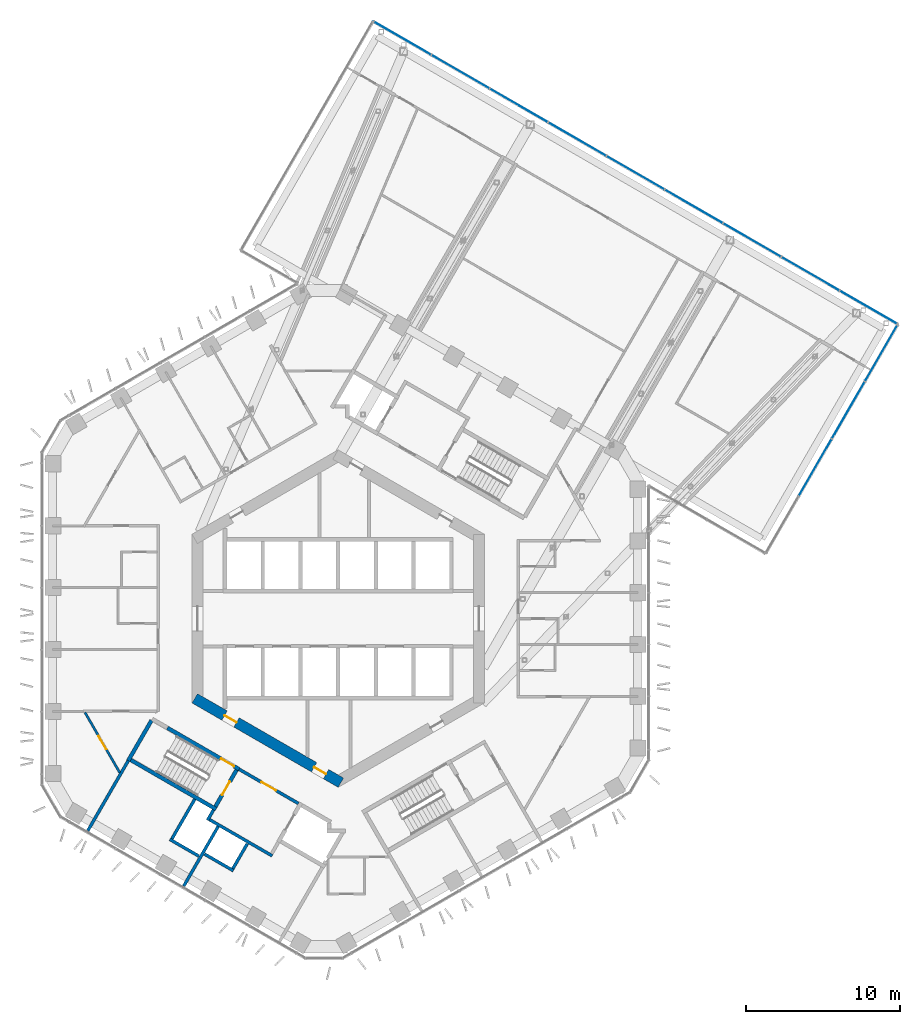
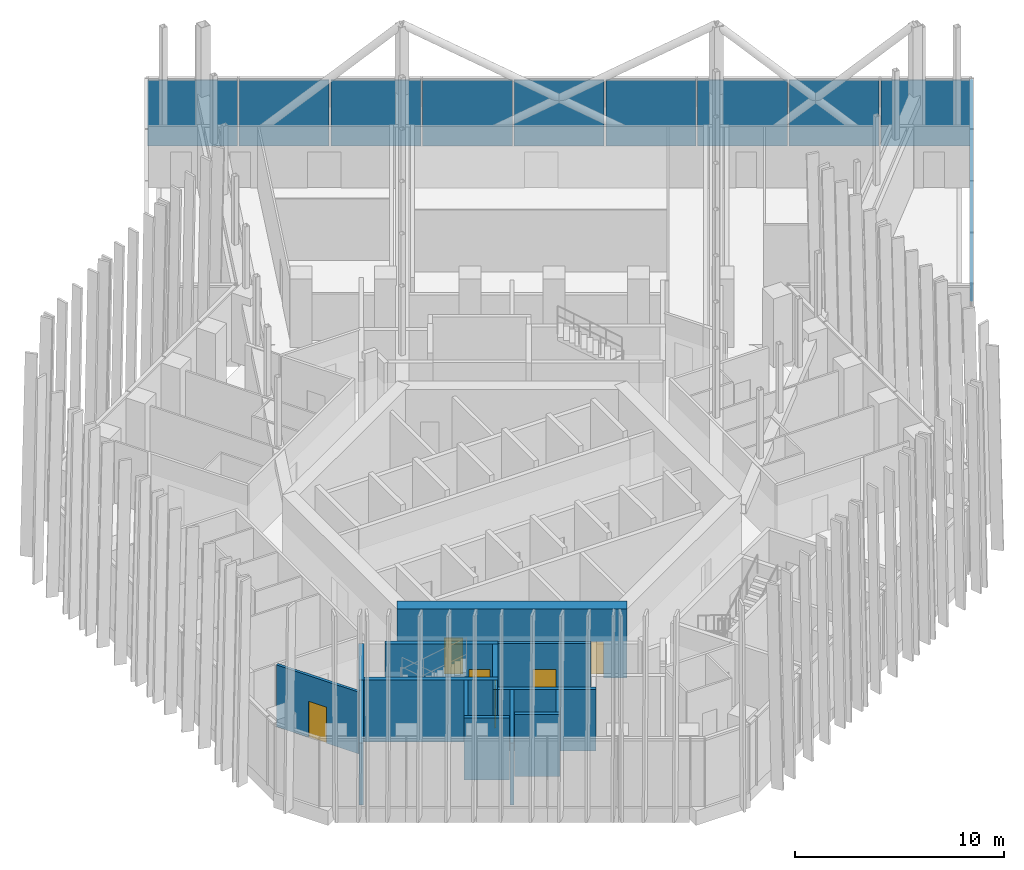
# One storey, part 19 of 31: 15 walls, 12 plates, 6 doors, 6 openings, 2 elements without a shape of their own.
"""IFC4 building model written with IfcOpenShell, lengths in metres."""

from ifc_helpers import new_model, si_unit, direction, frame, frame_2d, origin, origin_2d, place, context, subcontext, project, spatial, rectangle, extrude, material, layer, layer_set, type_object, element, fill, aggregate, save


model = new_model("IFC4")

# Units and contexts
model_context = context("Model", 3, precision=1e-05, world=origin(), true_north=direction((0.0, 1.0)))
body_context = subcontext(model_context, "Body", "Model", "MODEL_VIEW")
ifc_project = project(units=[si_unit("LENGTHUNIT", "METRE"), si_unit("AREAUNIT", "SQUARE_METRE"), si_unit("VOLUMEUNIT", "CUBIC_METRE"), si_unit("PLANEANGLEUNIT", "RADIAN"), si_unit("MASSUNIT", "GRAM", prefix="KILO")], contexts=[model_context])

# Site, building, storey
site_placement = place(None, origin())
site = spatial("IfcSite", under=ifc_project, at=site_placement, CompositionType="ELEMENT")
building_placement = place(site_placement, origin())
building = spatial("IfcBuilding", under=site, at=building_placement, Name="Ayvan Gate Tower", CompositionType="ELEMENT")
storey_placement = place(building_placement, frame((0.0, 0.0, 135.89990234375)))
storey = spatial("IfcBuildingStorey", under=building, at=storey_placement, Name="L36", CompositionType="ELEMENT", Elevation=135.89990234375)

# Curtain wall, plates
ifc_material_1 = material(Name="Bronze anodised aluminium", Category="aluminium")
ifc_layer_1 = layer(ifc_material_1, 0.199951171875)
ifc_layer_set_1 = layer_set([ifc_layer_1], Name="Bronze anodised aluminium")
curtain_wall_type = type_object("IfcCurtainWallType", Name="Stick curtain wall CW-4", PredefinedType="NOTDEFINED", material=ifc_layer_set_1)
curtain_wall_1_placement = place(storey_placement, origin())
curtain_wall_1 = element("IfcCurtainWall", 1, at=curtain_wall_1_placement, inside=storey, type_object=curtain_wall_type, Name="Stick curtain wall CW-4 L36", PredefinedType="NOTDEFINED")
ifc_material_2 = material(Name="Pale anodised aluminium composite panel", Category="aluminium")
ifc_layer_2 = layer(ifc_material_2, 0.028076171875)
ifc_layer_set_2 = layer_set([ifc_layer_2], Name="Pale anodised aluminium composite panel")
plate_type = type_object("IfcPlateType", Name="Stick curtain wall CW-4 solid panel", PredefinedType="CURTAIN_PANEL", material=ifc_layer_set_2)
plate_1_placement = place(storey_placement, frame((31.01611328125, 9.82177734375, 0.0), z_axis=(0.0, 0.0, 1.0), x_axis=(0.5, 0.866025403784, 0.0)))
plate_1 = element("IfcPlate", 2, at=plate_1_placement, type_object=plate_type, Name="CW-4 solid panel 2", PredefinedType="CURTAIN_PANEL", context=body_context, shape_type="SweptSolid", body=[
    extrude(rectangle(XDim=4.219970703125, YDim=0.028076171875, at=origin_2d()), origin(), (0.0, 0.0, 1.0), 3.860107421875),
])
plate_2_placement = place(storey_placement, frame((33.166259765625, 13.545654296875, 0.0), z_axis=(0.0, 0.0, 1.0), x_axis=(0.5, 0.866025403784, 0.0)))
plate_2 = element("IfcPlate", 3, at=plate_2_placement, type_object=plate_type, Name="CW-4 solid panel 3", PredefinedType="CURTAIN_PANEL", context=body_context, shape_type="SweptSolid", body=[
    extrude(rectangle(XDim=4.219970703125, YDim=0.028076171875, at=origin_2d()), origin(), (0.0, 0.0, 1.0), 3.860107421875),
])
plate_3_placement = place(storey_placement, frame((35.316162109375, 17.26953125, 0.0), z_axis=(0.0, 0.0, 1.0), x_axis=(0.5, 0.866025403784, 0.0)))
plate_3 = element("IfcPlate", 4, at=plate_3_placement, type_object=plate_type, Name="CW-4 solid panel 4", PredefinedType="CURTAIN_PANEL", context=body_context, shape_type="SweptSolid", body=[
    extrude(rectangle(XDim=4.219970703125, YDim=0.028076171875, at=origin_2d()), origin(), (0.0, 0.0, 1.0), 3.860107421875),
])
aggregate(curtain_wall_1, [plate_1, plate_2, plate_3])

curtain_wall_2_placement = place(storey_placement, origin())
curtain_wall_2 = element("IfcCurtainWall", 5, at=curtain_wall_2_placement, inside=storey, type_object=curtain_wall_type, Name="Stick curtain wall CW-4 L36", PredefinedType="NOTDEFINED")
plate_4_placement = place(storey_placement, frame((34.49560546875, 20.225830078125, 0.0), z_axis=(0.0, 0.0, 1.0), x_axis=(-0.866025403784, 0.5, 0.0)))
plate_4 = element("IfcPlate", 6, at=plate_4_placement, type_object=plate_type, Name="CW-4 solid panel 1", PredefinedType="CURTAIN_PANEL", context=body_context, shape_type="SweptSolid", body=[
    extrude(rectangle(XDim=4.2978515625, YDim=0.028076171875, at=origin_2d()), origin(), (0.0, 0.0, 1.0), 3.860107421875),
])
plate_5_placement = place(storey_placement, frame((30.704345703125, 22.414794921875, 0.0), z_axis=(0.0, 0.0, 1.0), x_axis=(-0.866025403784, 0.5, 0.0)))
plate_5 = element("IfcPlate", 7, at=plate_5_placement, type_object=plate_type, Name="CW-4 solid panel 2", PredefinedType="CURTAIN_PANEL", context=body_context, shape_type="SweptSolid", body=[
    extrude(rectangle(XDim=4.2978515625, YDim=0.028076171875, at=origin_2d()), origin(), (0.0, 0.0, 1.0), 3.860107421875),
])
plate_6_placement = place(storey_placement, frame((26.9130859375, 24.603759765625, 0.0), z_axis=(0.0, 0.0, 1.0), x_axis=(-0.866025403784, 0.5, 0.0)))
plate_6 = element("IfcPlate", 8, at=plate_6_placement, type_object=plate_type, Name="CW-4 solid panel 3", PredefinedType="CURTAIN_PANEL", context=body_context, shape_type="SweptSolid", body=[
    extrude(rectangle(XDim=4.2978515625, YDim=0.028076171875, at=origin_2d()), origin(), (0.0, 0.0, 1.0), 3.860107421875),
])
plate_7_placement = place(storey_placement, frame((23.121826171875, 26.79248046875, 0.0), z_axis=(0.0, 0.0, 1.0), x_axis=(-0.866025403784, 0.5, 0.0)))
plate_7 = element("IfcPlate", 9, at=plate_7_placement, type_object=plate_type, Name="CW-4 solid panel 4", PredefinedType="CURTAIN_PANEL", context=body_context, shape_type="SweptSolid", body=[
    extrude(rectangle(XDim=4.2978515625, YDim=0.028076171875, at=origin_2d()), origin(), (0.0, 0.0, 1.0), 3.860107421875),
])
plate_8_placement = place(storey_placement, frame((19.33056640625, 28.9814453125, 0.0), z_axis=(0.0, 0.0, 1.0), x_axis=(-0.866025403784, 0.5, 0.0)))
plate_8 = element("IfcPlate", 10, at=plate_8_placement, type_object=plate_type, Name="CW-4 solid panel 5", PredefinedType="CURTAIN_PANEL", context=body_context, shape_type="SweptSolid", body=[
    extrude(rectangle(XDim=4.2978515625, YDim=0.028076171875, at=origin_2d()), origin(), (0.0, 0.0, 1.0), 3.860107421875),
])
plate_9_placement = place(storey_placement, frame((15.539306640625, 31.17041015625, 0.0), z_axis=(0.0, 0.0, 1.0), x_axis=(-0.866025403784, 0.5, 0.0)))
plate_9 = element("IfcPlate", 11, at=plate_9_placement, type_object=plate_type, Name="CW-4 solid panel 6", PredefinedType="CURTAIN_PANEL", context=body_context, shape_type="SweptSolid", body=[
    extrude(rectangle(XDim=4.2978515625, YDim=0.028076171875, at=origin_2d()), origin(), (0.0, 0.0, 1.0), 3.860107421875),
])
plate_10_placement = place(storey_placement, frame((11.748046875, 33.359130859375, 0.0), z_axis=(0.0, 0.0, 1.0), x_axis=(-0.866025403784, 0.5, 0.0)))
plate_10 = element("IfcPlate", 12, at=plate_10_placement, type_object=plate_type, Name="CW-4 solid panel 7", PredefinedType="CURTAIN_PANEL", context=body_context, shape_type="SweptSolid", body=[
    extrude(rectangle(XDim=4.2978515625, YDim=0.028076171875, at=origin_2d()), origin(), (0.0, 0.0, 1.0), 3.860107421875),
])
plate_11_placement = place(storey_placement, frame((7.956787109375, 35.548095703125, 0.0), z_axis=(0.0, 0.0, 1.0), x_axis=(-0.866025403784, 0.5, 0.0)))
plate_11 = element("IfcPlate", 13, at=plate_11_placement, type_object=plate_type, Name="CW-4 solid panel 8", PredefinedType="CURTAIN_PANEL", context=body_context, shape_type="SweptSolid", body=[
    extrude(rectangle(XDim=4.2978515625, YDim=0.028076171875, at=origin_2d()), origin(), (0.0, 0.0, 1.0), 3.860107421875),
])
plate_12_placement = place(storey_placement, frame((4.16552734375, 37.737060546875, 0.0), z_axis=(0.0, 0.0, 1.0), x_axis=(-0.866025403784, 0.5, 0.0)))
plate_12 = element("IfcPlate", 14, at=plate_12_placement, type_object=plate_type, Name="CW-4 solid panel 9", PredefinedType="CURTAIN_PANEL", context=body_context, shape_type="SweptSolid", body=[
    extrude(rectangle(XDim=4.2978515625, YDim=0.028076171875, at=origin_2d()), origin(), (0.0, 0.0, 1.0), 3.860107421875),
])
aggregate(curtain_wall_2, [plate_4, plate_5, plate_6, plate_7, plate_8, plate_9, plate_10, plate_11, plate_12])

# Wall, openings, doors
ifc_material_3 = material(Name="Concrete C70/85", Category="concrete")
ifc_layer_3 = layer(ifc_material_3, 0.699951171875)
ifc_layer_set_3 = layer_set([ifc_layer_3], Name="Concrete C70/85")
wall_type_1 = type_object("IfcWallType", Name="Core wall 700 C70/85", PredefinedType="SHEAR", material=ifc_layer_set_3)
wall_1_placement = place(storey_placement, frame((-9.324951171875, -5.181640625, 0.0), z_axis=(0.0, 0.0, 1.0), x_axis=(0.866023993627, -0.500002442456, 0.0)))
wall_1 = element("IfcWall", 15, at=wall_1_placement, inside=storey, type_object=wall_type_1, Name="CORE-L36-4", PredefinedType="SHEAR", context=body_context, shape_type="SweptSolid", body=[
    extrude(rectangle(XDim=10.9697265625, YDim=0.699951171875, at=frame_2d((5.48486328125, 0.0))), origin(), (0.0, 0.0, 1.0), 4.0),
])
opening_1_placement = place(wall_1_placement, frame((2.2392578125, 0.0, 0.0)))
opening_1 = element("IfcOpeningElement", 16, at=opening_1_placement, cuts=wall_1, Name="Opening L36-D52", PredefinedType="OPENING", context=body_context, shape_type="SweptSolid", body=[
    extrude(rectangle(XDim=0.89990234375, YDim=2.10009765625, at=frame_2d((0.449951171875, 1.050048828125))), frame((0.0, 0.35986328125, 0.0), z_axis=(0.0, -1.0, 0.0), x_axis=(1.0, 0.0, 0.0)), (0.0, 0.0, 1.0), 0.719970703125),
])
opening_2_placement = place(wall_1_placement, frame((8.960205078125, 0.0, 0.0)))
opening_2 = element("IfcOpeningElement", 17, at=opening_2_placement, cuts=wall_1, Name="Opening L36-D53", PredefinedType="OPENING", context=body_context, shape_type="SweptSolid", body=[
    extrude(rectangle(XDim=0.89990234375, YDim=2.10009765625, at=frame_2d((0.449951171875, 1.050048828125))), frame((0.0, 0.35986328125, 0.0), z_axis=(0.0, -1.0, 0.0), x_axis=(1.0, 0.0, 0.0)), (0.0, 0.0, 1.0), 0.719970703125),
])
ifc_material_4 = material(Name="Timber door leaf", Category="wood")
door_type_1 = type_object("IfcDoorType", Name="DT-900", OperationType="NOTDEFINED", PredefinedType="DOOR", material=ifc_material_4)
door_1_placement = place(opening_1_placement, origin())
door_1 = element("IfcDoor", 18, at=door_1_placement, inside=storey, type_object=door_type_1, Name="CD-L36-52", OperationType="SINGLE_SWING_RIGHT", OverallHeight=2.10009765625, OverallWidth=0.89990234375, PredefinedType="DOOR", context=body_context, shape_type="SweptSolid", body=[
    extrude(rectangle(XDim=0.89990234375, YDim=2.10009765625, at=frame_2d((0.449951171875, 1.050048828125))), frame((0.0, 0.02490234375, 0.0), z_axis=(0.0, -1.0, 0.0), x_axis=(1.0, 0.0, 0.0)), (0.0, 0.0, 1.0), 0.050048828125),
])
fill(opening_1, door_1)
door_2_placement = place(opening_2_placement, origin())
door_2 = element("IfcDoor", 19, at=door_2_placement, inside=storey, type_object=door_type_1, Name="CD-L36-53", OperationType="SINGLE_SWING_LEFT", OverallHeight=2.10009765625, OverallWidth=0.89990234375, PredefinedType="DOOR", context=body_context, shape_type="SweptSolid", body=[
    extrude(rectangle(XDim=0.89990234375, YDim=2.10009765625, at=frame_2d((0.449951171875, 1.050048828125))), frame((0.0, 0.02490234375, 0.0), z_axis=(0.0, -1.0, 0.0), x_axis=(1.0, 0.0, 0.0)), (0.0, 0.0, 1.0), 0.050048828125),
])
fill(opening_2, door_2)

# Wall, opening, door
ifc_material_5 = material(Name="Plasterboard on steel stud", Category="steel")
ifc_layer_4 = layer(ifc_material_5, 0.14990234375)
ifc_layer_set_4 = layer_set([ifc_layer_4], Name="Plasterboard on steel stud")
wall_type_2 = type_object("IfcWallType", Name="WT-CORR-150", PredefinedType="PARTITIONING", material=ifc_layer_set_4)
wall_2_placement = place(storey_placement, frame((-14.197265625, -10.01708984375, 0.0), z_axis=(0.0, 0.0, 1.0), x_axis=(-0.500035089595, 0.866005143849, 0.0)))
wall_2 = element("IfcWall", 20, at=wall_2_placement, inside=storey, type_object=wall_type_2, Name="IW-L36-008", PredefinedType="PARTITIONING", context=body_context, shape_type="SweptSolid", body=[
    extrude(rectangle(XDim=4.529052734375, YDim=0.14990234375, at=frame_2d((2.2646484375, 0.0))), origin(), (0.0, 0.0, 1.0), 3.60009765625),
])
opening_3_placement = place(wall_2_placement, frame((1.764404296875, 0.0, 0.0)))
opening_3 = element("IfcOpeningElement", 21, at=opening_3_placement, cuts=wall_2, Name="Opening L36-D29", PredefinedType="OPENING", context=body_context, shape_type="SweptSolid", body=[
    extrude(rectangle(XDim=1.0, YDim=2.10009765625, at=frame_2d((0.5, 1.050048828125))), frame((0.0, 0.0849609375, 0.0), z_axis=(0.0, -1.0, 0.0), x_axis=(1.0, 0.0, 0.0)), (0.0, 0.0, 1.0), 0.169921875),
])
door_type_2 = type_object("IfcDoorType", Name="DT-1000", OperationType="NOTDEFINED", PredefinedType="DOOR", material=ifc_material_4)
door_3_placement = place(opening_3_placement, origin())
door_3 = element("IfcDoor", 22, at=door_3_placement, inside=storey, type_object=door_type_2, Name="ID-L36-029", OperationType="SINGLE_SWING_LEFT", OverallHeight=2.10009765625, OverallWidth=1.0, PredefinedType="DOOR", context=body_context, shape_type="SweptSolid", body=[
    extrude(rectangle(XDim=1.0, YDim=2.10009765625, at=frame_2d((0.5, 1.050048828125))), frame((0.0, 0.02490234375, 0.0), z_axis=(0.0, -1.0, 0.0), x_axis=(1.0, 0.0, 0.0)), (0.0, 0.0, 1.0), 0.050048828125),
])
fill(opening_3, door_3)

# Walls
ifc_layer_5 = layer(ifc_material_5, 0.199951171875)
ifc_layer_set_5 = layer_set([ifc_layer_5], Name="Plasterboard on steel stud")
wall_type_3 = type_object("IfcWallType", Name="WT-PLUMB-200", PredefinedType="PLUMBINGWALL", material=ifc_layer_set_5)
wall_3_placement = place(storey_placement, frame((-16.276123046875, -13.791259765625, 0.0), z_axis=(0.0, 0.0, 1.0), x_axis=(0.499970375258, 0.866042506961, 0.0)))
element("IfcWall", 23, at=wall_3_placement, inside=storey, type_object=wall_type_3, Name="IW-L36-004", PredefinedType="PLUMBINGWALL", context=body_context, shape_type="SweptSolid", body=[
    extrude(rectangle(XDim=5.256591796875, YDim=0.199951171875, at=frame_2d((2.62841796875, 0.0))), origin(), (0.0, 0.0, 1.0), 3.60009765625),
])
wall_4_placement = place(storey_placement, frame((-8.492919921875, -13.110107421875, 0.0), z_axis=(0.0, 0.0, 1.0), x_axis=(0.500067724834, 0.865986299303, 0.0)))
element("IfcWall", 24, at=wall_4_placement, inside=storey, type_object=wall_type_3, Name="IW-L36-023", PredefinedType="PLUMBINGWALL", context=body_context, shape_type="SweptSolid", body=[
    extrude(rectangle(XDim=0.775390625, YDim=0.199951171875, at=frame_2d((0.3876953125, 0.0))), origin(), (0.0, 0.0, 1.0), 3.60009765625),
])
wall_5_placement = place(storey_placement, frame((-7.800048828125, -13.510009765625, 0.0), z_axis=(0.0, 0.0, 1.0), x_axis=(-0.499994393058, -0.866028640929, 0.0)))
element("IfcWall", 25, at=wall_5_placement, inside=storey, type_object=wall_type_3, Name="IW-L36-025", PredefinedType="PLUMBINGWALL", context=body_context, shape_type="SweptSolid", body=[
    extrude(rectangle(XDim=4.4814453125, YDim=0.199951171875, at=frame_2d((2.24072265625, 0.0))), origin(), (0.0, 0.0, 1.0), 3.60009765625),
])
wall_6_placement = place(storey_placement, frame((-8.356201171875, -13.073486328125, 0.0), z_axis=(0.0, 0.0, 1.0), x_axis=(0.866038532462, -0.499977259774, 0.0)))
element("IfcWall", 26, at=wall_6_placement, inside=storey, type_object=wall_type_3, Name="IW-L36-026", PredefinedType="PLUMBINGWALL", context=body_context, shape_type="SweptSolid", body=[
    extrude(rectangle(XDim=4.699951171875, YDim=0.199951171875, at=frame_2d((2.35009765625, 0.0))), origin(), (0.0, 0.0, 1.0), 3.60009765625),
])
wall_7_placement = place(storey_placement, frame((-9.053955078125, -15.44189453125, 0.0), z_axis=(0.0, 0.0, 1.0), x_axis=(-0.866008413041, 0.500029427677, 0.0)))
element("IfcWall", 27, at=wall_7_placement, inside=storey, type_object=wall_type_3, Name="IW-L36-145", PredefinedType="PLUMBINGWALL", context=body_context, shape_type="SweptSolid", body=[
    extrude(rectangle(XDim=2.179931640625, YDim=0.199951171875, at=frame_2d((1.08984375, 0.0))), origin(), (0.0, 0.0, 1.0), 3.60009765625),
])
wall_8_placement = place(storey_placement, frame((-10.805419921875, -14.315185546875, 0.0), z_axis=(0.0, 0.0, 1.0), x_axis=(0.500086491905, 0.8659754619, 0.0)))
element("IfcWall", 28, at=wall_8_placement, inside=storey, type_object=wall_type_3, Name="IW-L36-146", PredefinedType="PLUMBINGWALL", context=body_context, shape_type="SweptSolid", body=[
    extrude(rectangle(XDim=2.97998046875, YDim=0.199951171875, at=frame_2d((1.489990234375, 0.0))), origin(), (0.0, 0.0, 1.0), 3.60009765625),
])
wall_9_placement = place(storey_placement, frame((-6.80810546875, -16.39208984375, 0.0), z_axis=(0.0, 0.0, 1.0), x_axis=(-0.866008413041, 0.500029427677, 0.0)))
element("IfcWall", 29, at=wall_9_placement, inside=storey, type_object=wall_type_3, Name="IW-L36-147", PredefinedType="PLUMBINGWALL", context=body_context, shape_type="SweptSolid", body=[
    extrude(rectangle(XDim=2.179931640625, YDim=0.199951171875, at=frame_2d((1.08984375, 0.0))), origin(), (0.0, 0.0, 1.0), 3.60009765625),
])
wall_10_placement = place(storey_placement, frame((-5.90478515625, -14.627197265625, 0.0), z_axis=(0.0, 0.0, 1.0), x_axis=(-0.499966013754, -0.866045024864, 0.0)))
element("IfcWall", 30, at=wall_10_placement, inside=storey, type_object=wall_type_3, Name="IW-L36-148", PredefinedType="PLUMBINGWALL", context=body_context, shape_type="SweptSolid", body=[
    extrude(rectangle(XDim=1.880126953125, YDim=0.199951171875, at=frame_2d((0.93994140625, 0.0))), origin(), (0.0, 0.0, 1.0), 3.60009765625),
])

# Wall, opening, door
ifc_layer_6 = layer(ifc_material_5, 0.199951171875)
ifc_layer_set_6 = layer_set([ifc_layer_6], Name="Plasterboard on steel stud")
wall_type_4 = type_object("IfcWallType", Name="WT-RATED-200", PredefinedType="PARTITIONING", material=ifc_layer_set_6)
wall_11_placement = place(storey_placement, frame((-6.4345703125, -9.794921875, 0.0), z_axis=(0.0, 0.0, 1.0), x_axis=(0.866012907634, -0.500021643343, 0.0)))
wall_11 = element("IfcWall", 31, at=wall_11_placement, inside=storey, type_object=wall_type_4, Name="IW-L36-035", PredefinedType="PARTITIONING", context=body_context, shape_type="SweptSolid", body=[
    extrude(rectangle(XDim=4.449951171875, YDim=0.199951171875, at=frame_2d((2.22509765625, 0.0))), origin(), (0.0, 0.0, 1.0), 3.60009765625),
])
opening_4_placement = place(wall_11_placement, frame((1.675048828125, 0.0, 0.0)))
opening_4 = element("IfcOpeningElement", 32, at=opening_4_placement, cuts=wall_11, Name="Opening L36-D12", PredefinedType="OPENING", context=body_context, shape_type="SweptSolid", body=[
    extrude(rectangle(XDim=1.10009765625, YDim=2.10009765625, at=frame_2d((0.550048828125, 1.050048828125))), frame((0.0, 0.10986328125, 0.0), z_axis=(0.0, -1.0, 0.0), x_axis=(1.0, 0.0, 0.0)), (0.0, 0.0, 1.0), 0.219970703125),
])
door_type_3 = type_object("IfcDoorType", Name="DT-1100", OperationType="NOTDEFINED", PredefinedType="DOOR", material=ifc_material_4)
door_4_placement = place(opening_4_placement, origin())
door_4 = element("IfcDoor", 33, at=door_4_placement, inside=storey, type_object=door_type_3, Name="ID-L36-012", OperationType="SINGLE_SWING_RIGHT", OverallHeight=2.10009765625, OverallWidth=1.10009765625, PredefinedType="DOOR", context=body_context, shape_type="SweptSolid", body=[
    extrude(rectangle(XDim=1.10009765625, YDim=2.10009765625, at=frame_2d((0.550048828125, 1.050048828125))), frame((0.0, 0.02490234375, 0.0), z_axis=(0.0, -1.0, 0.0), x_axis=(1.0, 0.0, 0.0)), (0.0, 0.0, 1.0), 0.050048828125),
])
fill(opening_4, door_4)

# Wall
ifc_material_6 = material(Name="Concrete C50/60", Category="concrete")
ifc_layer_7 = layer(ifc_material_6, 0.25)
ifc_layer_set_7 = layer_set([ifc_layer_7], Name="Concrete C50/60")
wall_type_5 = type_object("IfcWallType", Name="WT-RC-250", PredefinedType="SHEAR", material=ifc_layer_set_7)
wall_12_placement = place(storey_placement, frame((-13.64794921875, -9.23876953125, 0.0), z_axis=(0.0, 0.0, 1.0), x_axis=(0.50000556753, 0.866022189346, 0.0)))
element("IfcWall", 34, at=wall_12_placement, inside=storey, type_object=wall_type_5, Name="IW-L36-011", PredefinedType="SHEAR", context=body_context, shape_type="SweptSolid", body=[
    extrude(rectangle(XDim=3.03564453125, YDim=0.25, at=frame_2d((1.517822265625, 0.0))), origin(), (0.0, 0.0, 1.0), 3.60009765625),
])

# Wall, opening, door
wall_13_placement = place(storey_placement, frame((-11.10009765625, -7.101318359375, 0.0), z_axis=(0.0, 0.0, 1.0), x_axis=(0.866028615007, -0.499994437958, 0.0)))
wall_13 = element("IfcWall", 35, at=wall_13_placement, inside=storey, type_object=wall_type_5, Name="IW-L36-018", PredefinedType="SHEAR", context=body_context, shape_type="SweptSolid", body=[
    extrude(rectangle(XDim=5.38720703125, YDim=0.25, at=frame_2d((2.693603515625, 0.0))), origin(), (0.0, 0.0, 1.0), 3.60009765625),
])
opening_5_placement = place(wall_13_placement, frame((4.01220703125, 0.0, 0.0)))
opening_5 = element("IfcOpeningElement", 36, at=opening_5_placement, cuts=wall_13, Name="Opening L36-D10", PredefinedType="OPENING", context=body_context, shape_type="SweptSolid", body=[
    extrude(rectangle(XDim=1.0, YDim=2.10009765625, at=frame_2d((0.5, 1.050048828125))), frame((0.0, 0.135009765625, 0.0), z_axis=(0.0, -1.0, 0.0), x_axis=(1.0, 0.0, 0.0)), (0.0, 0.0, 1.0), 0.27001953125),
])
door_5_placement = place(opening_5_placement, origin())
door_5 = element("IfcDoor", 37, at=door_5_placement, inside=storey, type_object=door_type_2, Name="ID-L36-010", OperationType="SINGLE_SWING_RIGHT", OverallHeight=2.10009765625, OverallWidth=1.0, PredefinedType="DOOR", context=body_context, shape_type="SweptSolid", body=[
    extrude(rectangle(XDim=1.0, YDim=2.10009765625, at=frame_2d((0.5, 1.050048828125))), frame((0.0, 0.02490234375, 0.0), z_axis=(0.0, -1.0, 0.0), x_axis=(1.0, 0.0, 0.0)), (0.0, 0.0, 1.0), 0.050048828125),
])
fill(opening_5, door_5)

# Wall
wall_14_placement = place(storey_placement, frame((-7.9345703125, -12.39306640625, 0.0), z_axis=(0.0, 0.0, 1.0), x_axis=(-0.866025499775, 0.499999833739, 0.0)))
element("IfcWall", 38, at=wall_14_placement, inside=storey, type_object=wall_type_5, Name="IW-L36-024", PredefinedType="SHEAR", context=body_context, shape_type="SweptSolid", body=[
    extrude(rectangle(XDim=6.39990234375, YDim=0.25, at=frame_2d((3.199951171875, 0.0))), origin(), (0.0, 0.0, 1.0), 3.60009765625),
])

# Wall, opening, door
wall_15_placement = place(storey_placement, frame((-6.605224609375, -9.8408203125, 0.0), z_axis=(0.0, 0.0, 1.0), x_axis=(-0.499996545922, -0.866027397988, 0.0)))
wall_15 = element("IfcWall", 39, at=wall_15_placement, inside=storey, type_object=wall_type_5, Name="IW-L36-034", PredefinedType="SHEAR", context=body_context, shape_type="SweptSolid", body=[
    extrude(rectangle(XDim=2.75, YDim=0.25, at=frame_2d((1.375, 0.0))), origin(), (0.0, 0.0, 1.0), 3.60009765625),
])
opening_6_placement = place(wall_15_placement, frame((0.875, 0.0, 0.0)))
opening_6 = element("IfcOpeningElement", 40, at=opening_6_placement, cuts=wall_15, Name="Opening L36-D11", PredefinedType="OPENING", context=body_context, shape_type="SweptSolid", body=[
    extrude(rectangle(XDim=1.0, YDim=2.10009765625, at=frame_2d((0.5, 1.050048828125))), frame((0.0, 0.135009765625, 0.0), z_axis=(0.0, -1.0, 0.0), x_axis=(1.0, 0.0, 0.0)), (0.0, 0.0, 1.0), 0.27001953125),
])
door_6_placement = place(opening_6_placement, origin())
door_6 = element("IfcDoor", 41, at=door_6_placement, inside=storey, type_object=door_type_2, Name="ID-L36-011", OperationType="SINGLE_SWING_LEFT", OverallHeight=2.10009765625, OverallWidth=1.0, PredefinedType="DOOR", context=body_context, shape_type="SweptSolid", body=[
    extrude(rectangle(XDim=1.0, YDim=2.10009765625, at=frame_2d((0.5, 1.050048828125))), frame((0.0, 0.02490234375, 0.0), z_axis=(0.0, -1.0, 0.0), x_axis=(1.0, 0.0, 0.0)), (0.0, 0.0, 1.0), 0.050048828125),
])
fill(opening_6, door_6)

save(model, "model.ifc")
